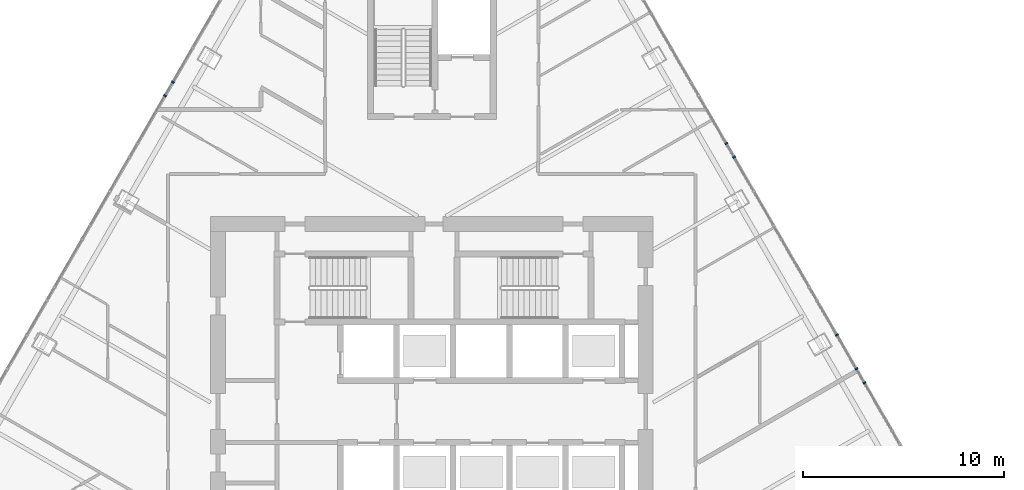
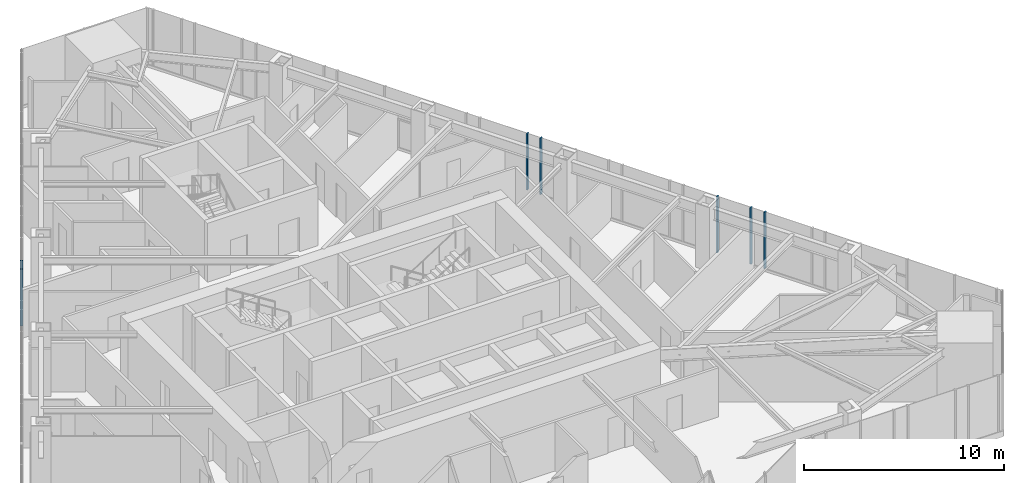
# One storey, part 10 of 24: 7 members, 2 elements without a shape of their own.
"""IFC4 building model written with IfcOpenShell, lengths in metres."""

from ifc_helpers import new_model, si_unit, direction, frame, origin, origin_2d, place, context, subcontext, project, spatial, rectangle, extrude, material, layer, layer_set, material_profile, profile_set, type_object, element, aggregate, save


model = new_model("IFC4")

# Units and contexts
model_context = context("Model", 3, precision=1e-05, world=origin(), true_north=direction((0.0, 1.0)))
body_context = subcontext(model_context, "Body", "Model", "MODEL_VIEW")
ifc_project = project(units=[si_unit("LENGTHUNIT", "METRE"), si_unit("AREAUNIT", "SQUARE_METRE"), si_unit("VOLUMEUNIT", "CUBIC_METRE"), si_unit("PLANEANGLEUNIT", "RADIAN"), si_unit("MASSUNIT", "GRAM", prefix="KILO")], contexts=[model_context])

# Site, building, storey
site_placement = place(None, origin())
site = spatial("IfcSite", under=ifc_project, at=site_placement, CompositionType="ELEMENT")
building_placement = place(site_placement, origin())
building = spatial("IfcBuilding", under=site, at=building_placement, Name="Firuza Gate Tower and Library", CompositionType="ELEMENT")
storey_placement = place(building_placement, frame((0.0, 0.0, 237.699951171875)))
storey = spatial("IfcBuildingStorey", under=building, at=storey_placement, Name="L56", CompositionType="ELEMENT", Elevation=237.699951171875)

# Curtain wall, members
ifc_material_1 = material(Name="Aluminium 6063-T6", Category="aluminium")
ifc_layer = layer(ifc_material_1, 0.14990234375)
ifc_layer_set = layer_set([ifc_layer], Name="Unitised curtain wall, hotel")
curtain_wall_type = type_object("IfcCurtainWallType", Name="Unitised curtain wall, hotel", PredefinedType="NOTDEFINED", material=ifc_layer_set)
placement = place(storey_placement, origin())
curtain_wall_1 = element("IfcCurtainWall", 1, at=placement, inside=storey, type_object=curtain_wall_type, Name="CW2 L56 E face", PredefinedType="NOTDEFINED")
ifc_material_2 = material(Name="Aluminium 6063-T6", Category="aluminium")
ifc_material_profile = material_profile(ifc_material_2, rectangle(XDim=0.14990234375, YDim=0.080078125, at=origin_2d()))
ifc_profile_set = profile_set([ifc_material_profile], Name="Aluminium 6063-T6")
member_type = type_object("IfcMemberType", Name="Curtain wall mullion 80x150", PredefinedType="MULLION", material=ifc_profile_set)
member_1_placement = place(storey_placement, frame((96.49658203125, 74.724853515625, 0.150146484375), z_axis=(0.0, 0.0, 1.0), x_axis=(-0.866025403784, -0.5, 0.0)))
member_1 = element("IfcMember", 2, at=member_1_placement, type_object=member_type, Name="Mullion", PredefinedType="MULLION", context=body_context, shape_type="SweptSolid", body=[
    extrude(rectangle(XDim=0.14990234375, YDim=0.080078125, at=origin_2d()), origin(), (0.0, 0.0, 1.0), 3.449951171875),
])
member_2_placement = place(storey_placement, frame((95.123291015625, 77.103515625, 0.150146484375), z_axis=(0.0, 0.0, 1.0), x_axis=(-0.866025403784, -0.5, 0.0)))
member_2 = element("IfcMember", 3, at=member_2_placement, type_object=member_type, Name="Mullion", PredefinedType="MULLION", context=body_context, shape_type="SweptSolid", body=[
    extrude(rectangle(XDim=0.14990234375, YDim=0.080078125, at=origin_2d()), origin(), (0.0, 0.0, 1.0), 3.449951171875),
])
member_3_placement = place(storey_placement, frame((89.6298828125, 86.6181640625, 0.150146484375), z_axis=(0.0, 0.0, 1.0), x_axis=(-0.866025403784, -0.5, 0.0)))
member_3 = element("IfcMember", 4, at=member_3_placement, type_object=member_type, Name="Mullion", PredefinedType="MULLION", context=body_context, shape_type="SweptSolid", body=[
    extrude(rectangle(XDim=0.14990234375, YDim=0.080078125, at=origin_2d()), origin(), (0.0, 0.0, 1.0), 3.449951171875),
])
member_4_placement = place(storey_placement, frame((96.096923828125, 75.417236328125, 0.150146484375), z_axis=(0.0, 0.0, 1.0), x_axis=(-0.866025403784, -0.5, 0.0)))
member_4 = element("IfcMember", 5, at=member_4_placement, type_object=member_type, Name="Mullion", PredefinedType="MULLION", context=body_context, shape_type="SweptSolid", body=[
    extrude(rectangle(XDim=0.14990234375, YDim=0.080078125, at=origin_2d()), origin(), (0.0, 0.0, 1.0), 3.449951171875),
])
member_5_placement = place(storey_placement, frame((90.0224609375, 85.938232421875, 0.150146484375), z_axis=(0.0, 0.0, 1.0), x_axis=(-0.866025403784, -0.5, 0.0)))
member_5 = element("IfcMember", 6, at=member_5_placement, type_object=member_type, Name="Mullion", PredefinedType="MULLION", context=body_context, shape_type="SweptSolid", body=[
    extrude(rectangle(XDim=0.14990234375, YDim=0.080078125, at=origin_2d()), origin(), (0.0, 0.0, 1.0), 3.449951171875),
])
aggregate(curtain_wall_1, [member_1, member_2, member_3, member_4, member_5])

curtain_wall_2 = element("IfcCurtainWall", 7, at=placement, inside=storey, type_object=curtain_wall_type, Name="CW2 L56 W face", PredefinedType="NOTDEFINED")
member_6_placement = place(storey_placement, frame((61.743408203125, 88.996826171875, 0.150146484375), z_axis=(0.0, 0.0, 1.0), x_axis=(0.866025403784, -0.5, 0.0)))
member_6 = element("IfcMember", 8, at=member_6_placement, type_object=member_type, Name="Mullion", PredefinedType="MULLION", context=body_context, shape_type="SweptSolid", body=[
    extrude(rectangle(XDim=0.14990234375, YDim=0.080078125, at=origin_2d()), origin(), (0.0, 0.0, 1.0), 3.449951171875),
])
member_7_placement = place(storey_placement, frame((62.128662109375, 89.664306640625, 0.150146484375), z_axis=(0.0, 0.0, 1.0), x_axis=(0.866025403784, -0.5, 0.0)))
member_7 = element("IfcMember", 9, at=member_7_placement, type_object=member_type, Name="Mullion", PredefinedType="MULLION", context=body_context, shape_type="SweptSolid", body=[
    extrude(rectangle(XDim=0.14990234375, YDim=0.080078125, at=origin_2d()), origin(), (0.0, 0.0, 1.0), 3.449951171875),
])
aggregate(curtain_wall_2, [member_6, member_7])

save(model, "model.ifc")
